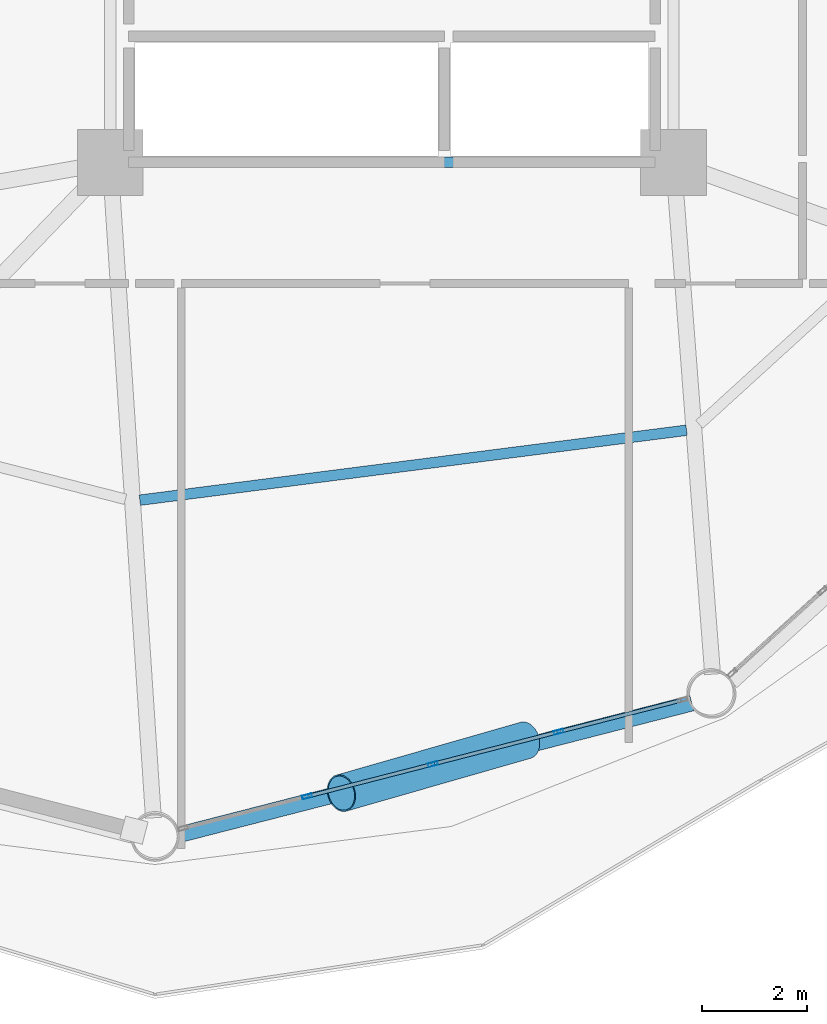
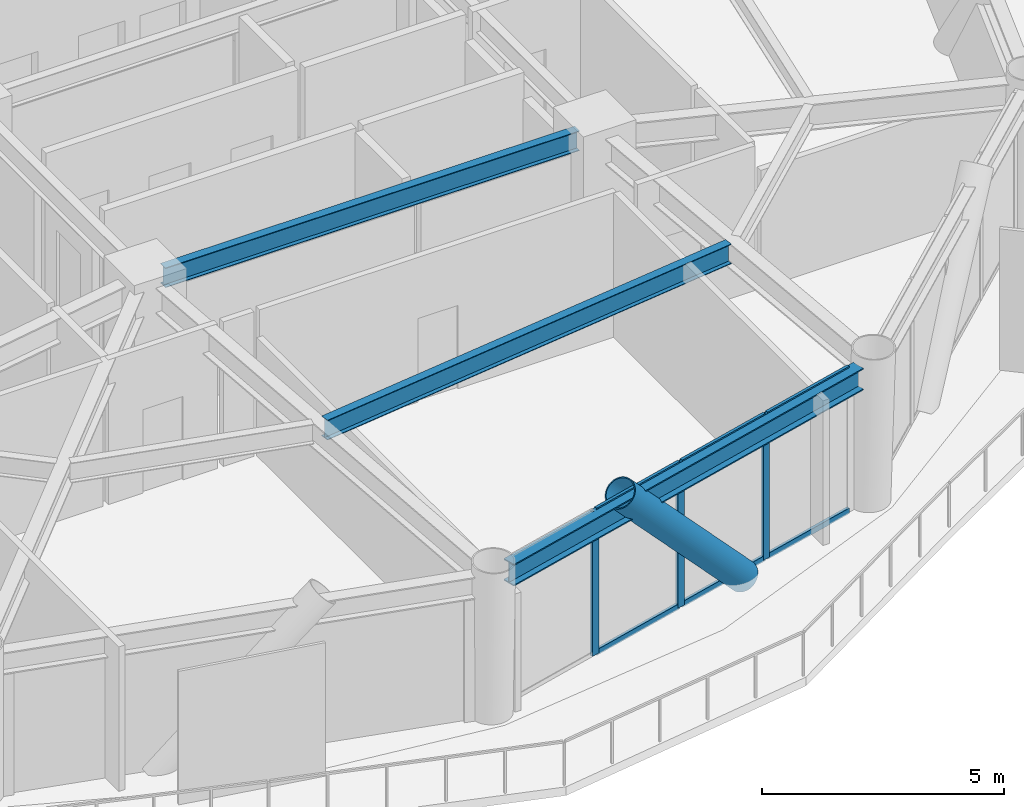
# One storey, part 7 of 25: 10 members, 3 beams, 1 element without a shape of its own.
"""IFC4 building model written with IfcOpenShell, lengths in metres."""

from ifc_helpers import new_model, si_unit, direction, frame, origin, origin_2d, place, context, subcontext, project, spatial, hollow_rectangle, hollow_circle, i_section, extrude, material, layer, layer_set, material_profile, profile_set, type_object, element, aggregate, save


model = new_model("IFC4")

# Units and contexts
model_context = context("Model", 3, precision=1e-05, world=origin(), true_north=direction((0.0, 1.0)))
body_context = subcontext(model_context, "Body", "Model", "MODEL_VIEW")
ifc_project = project(units=[si_unit("LENGTHUNIT", "METRE"), si_unit("AREAUNIT", "SQUARE_METRE"), si_unit("VOLUMEUNIT", "CUBIC_METRE"), si_unit("PLANEANGLEUNIT", "RADIAN"), si_unit("MASSUNIT", "GRAM", prefix="KILO")], contexts=[model_context])

# Site, building, storey
site_placement = place(None, origin())
site = spatial("IfcSite", under=ifc_project, at=site_placement, CompositionType="ELEMENT")
building_placement = place(site_placement, origin())
building = spatial("IfcBuilding", under=site, at=building_placement, Name="Varnakorn Sky Granary", CompositionType="ELEMENT")
storey_placement = place(building_placement, frame((0.0, 0.0, 54.89990234375)))
storey = spatial("IfcBuildingStorey", under=building, at=storey_placement, Name="L13", CompositionType="ELEMENT", Elevation=54.89990234375)

# Beams
ifc_material_1 = material(Name="Steel S355JR", Category="steel")
ifc_material_profile_1 = material_profile(ifc_material_1, i_section(OverallWidth=0.199951171875, OverallDepth=0.5, WebThickness=0.01025390625, FlangeThickness=0.01611328125, at=origin_2d()), Name="IPE 500")
ifc_profile_set_1 = profile_set([ifc_material_profile_1], Name="Steel S355JR")
beam_type_1 = type_object("IfcBeamType", Name="BM-SEC-Z1", PredefinedType="BEAM", material=ifc_profile_set_1)
beam_1_placement = place(storey_placement, frame((-1.786865234375, -13.016357421875, 3.39013671875), z_axis=(0.991915716668, 0.126898427996, 0.0), x_axis=(-0.126898427996, 0.991915716668, 0.0)))
element("IfcBeam", 1, at=beam_1_placement, inside=storey, type_object=beam_type_1, Name="Secondary Floor Chord Beam MSB10 L13", PredefinedType="BEAM", context=body_context, shape_type="SweptSolid", body=[
    extrude(i_section(OverallWidth=0.199951171875, OverallDepth=0.5, WebThickness=0.01025390625, FlangeThickness=0.01611328125, at=origin_2d()), origin(), (0.0, 0.0, 1.0), 10.469970703125),
])
beam_2_placement = place(storey_placement, frame((-1.929931640625, -6.60009765625, 3.39013671875), z_axis=(1.0, 0.0, 0.0), x_axis=(0.0, 1.0, 0.0)))
element("IfcBeam", 2, at=beam_2_placement, inside=storey, type_object=beam_type_1, Name="Core Spine Framing Beam 6 L13", PredefinedType="BEAM", context=body_context, shape_type="SweptSolid", body=[
    extrude(i_section(OverallWidth=0.199951171875, OverallDepth=0.5, WebThickness=0.01025390625, FlangeThickness=0.01611328125, at=origin_2d()), origin(), (0.0, 0.0, 1.0), 9.85986328125),
])
ifc_material_profile_2 = material_profile(ifc_material_1, i_section(OverallWidth=0.300048828125, OverallDepth=0.550048828125, WebThickness=0.014892578125, FlangeThickness=0.029052734375, at=origin_2d()), Name="HE 550 B")
ifc_profile_set_2 = profile_set([ifc_material_profile_2], Name="Steel S355JR")
beam_type_2 = type_object("IfcBeamType", Name="BM-SPD-Z1", PredefinedType="SPANDREL", material=ifc_profile_set_2)
beam_3_placement = place(storey_placement, frame((-1.072021484375, -19.380126953125, 3.364990234375), z_axis=(0.968591261457, 0.248658336337, 0.0), x_axis=(-0.248658336337, 0.968591261457, 0.0)))
element("IfcBeam", 3, at=beam_3_placement, inside=storey, type_object=beam_type_2, Name="Perimeter Spandrel Ring Beam RB10 L13", PredefinedType="SPANDREL", context=body_context, shape_type="SweptSolid", body=[
    extrude(i_section(OverallWidth=0.300048828125, OverallDepth=0.550048828125, WebThickness=0.014892578125, FlangeThickness=0.029052734375, at=origin_2d()), origin(), (0.0, 0.0, 1.0), 10.08740234375),
])

# Curtain wall, members
ifc_material_2 = material(Name="Anodised Bronze Aluminium Alloy 6063-T6", Category="aluminium")
ifc_layer = layer(ifc_material_2, 0.18994140625, Name="Anodised Bronze Aluminium Alloy 6063-T6")
ifc_layer_set = layer_set([ifc_layer], Name="Anodised Bronze Aluminium Alloy 6063-T6")
curtain_wall_type = type_object("IfcCurtainWallType", Name="CW-FRM-1", PredefinedType="USERDEFINED", material=ifc_layer_set)
curtain_wall_placement = place(storey_placement, origin())
curtain_wall = element("IfcCurtainWall", 4, at=curtain_wall_placement, inside=storey, type_object=curtain_wall_type, Name="Unitised Curtain Wall CW3 CW-L13-B10", ObjectType="CURTAIN WALL", PredefinedType="USERDEFINED")
ifc_material_profile_3 = material_profile(ifc_material_2, hollow_rectangle(XDim=0.070068359375, YDim=0.18505859375, WallThickness=0.00390625, at=origin_2d()), Name="ALU MULL 70x185")
ifc_profile_set_3 = profile_set([ifc_material_profile_3], Name="Anodised Bronze Aluminium Alloy 6063-T6")
member_type_1 = type_object("IfcMemberType", Name="CW-FRM-1-MULL", PredefinedType="MULLION", material=ifc_profile_set_3)
member_1_placement = place(storey_placement, frame((6.169189453125, -17.41552734375, 0.0), z_axis=(0.0, 0.0, 1.0), x_axis=(0.248955770225, -0.96851485506, 0.0)))
member_1 = element("IfcMember", 5, at=member_1_placement, type_object=member_type_1, Name="CW3 mullion 2", PredefinedType="MULLION", context=body_context, shape_type="SweptSolid", body=[
    extrude(hollow_rectangle(XDim=0.070068359375, YDim=0.18505859375, WallThickness=0.00390625, at=origin_2d()), origin(), (0.0, 0.0, 1.0), 3.64013671875),
])
member_2_placement = place(storey_placement, frame((3.77978515625, -18.02978515625, 0.0), z_axis=(0.0, 0.0, 1.0), x_axis=(0.248955770225, -0.96851485506, 0.0)))
member_2 = element("IfcMember", 6, at=member_2_placement, type_object=member_type_1, Name="CW3 mullion 3", PredefinedType="MULLION", context=body_context, shape_type="SweptSolid", body=[
    extrude(hollow_rectangle(XDim=0.070068359375, YDim=0.18505859375, WallThickness=0.00390625, at=origin_2d()), origin(), (0.0, 0.0, 1.0), 3.64013671875),
])
member_3_placement = place(storey_placement, frame((1.39013671875, -18.64404296875, 0.0), z_axis=(0.0, 0.0, 1.0), x_axis=(0.248955770225, -0.96851485506, 0.0)))
member_3 = element("IfcMember", 7, at=member_3_placement, type_object=member_type_1, Name="CW3 mullion 4", PredefinedType="MULLION", context=body_context, shape_type="SweptSolid", body=[
    extrude(hollow_rectangle(XDim=0.070068359375, YDim=0.18505859375, WallThickness=0.00390625, at=origin_2d()), origin(), (0.0, 0.0, 1.0), 3.64013671875),
])
ifc_material_profile_4 = material_profile(ifc_material_2, hollow_rectangle(XDim=0.070068359375, YDim=0.139892578125, WallThickness=0.00341796875, at=origin_2d()), Name="ALU TRAN 70x140")
ifc_profile_set_4 = profile_set([ifc_material_profile_4], Name="Anodised Bronze Aluminium Alloy 6063-T6")
member_type_2 = type_object("IfcMemberType", Name="CW-FRM-1-TRAN", PredefinedType="USERDEFINED", material=ifc_profile_set_4)
member_4_placement = place(storey_placement, frame((8.490966796875, -16.81884765625, 0.03515625), z_axis=(-0.968510023727, -0.248974564845, 0.0), x_axis=(0.248974564845, -0.968510023727, 0.0)))
member_4 = element("IfcMember", 8, at=member_4_placement, type_object=member_type_2, Name="CW3 transom 1.1", ObjectType="TRANSOM", PredefinedType="USERDEFINED", context=body_context, shape_type="SweptSolid", body=[
    extrude(hollow_rectangle(XDim=0.070068359375, YDim=0.139892578125, WallThickness=0.00341796875, at=origin_2d()), origin(), (0.0, 0.0, 1.0), 2.3623046875),
])
member_5_placement = place(storey_placement, frame((8.490966796875, -16.81884765625, 3.60498046875), z_axis=(-0.968510023727, -0.248974564845, 0.0), x_axis=(0.248974564845, -0.968510023727, 0.0)))
member_5 = element("IfcMember", 9, at=member_5_placement, type_object=member_type_2, Name="CW3 transom 1.2", ObjectType="TRANSOM", PredefinedType="USERDEFINED", context=body_context, shape_type="SweptSolid", body=[
    extrude(hollow_rectangle(XDim=0.070068359375, YDim=0.139892578125, WallThickness=0.00341796875, at=origin_2d()), origin(), (0.0, 0.0, 1.0), 2.3623046875),
])
member_6_placement = place(storey_placement, frame((6.135498046875, -17.42431640625, 0.03515625), z_axis=(-0.968503458892, -0.24900010063, 0.0), x_axis=(0.24900010063, -0.968503458892, 0.0)))
member_6 = element("IfcMember", 10, at=member_6_placement, type_object=member_type_2, Name="CW3 transom 2.1", ObjectType="TRANSOM", PredefinedType="USERDEFINED", context=body_context, shape_type="SweptSolid", body=[
    extrude(hollow_rectangle(XDim=0.070068359375, YDim=0.139892578125, WallThickness=0.00341796875, at=origin_2d()), origin(), (0.0, 0.0, 1.0), 2.397216796875),
])
member_7_placement = place(storey_placement, frame((6.135498046875, -17.42431640625, 3.60498046875), z_axis=(-0.968503458892, -0.24900010063, 0.0), x_axis=(0.24900010063, -0.968503458892, 0.0)))
member_7 = element("IfcMember", 11, at=member_7_placement, type_object=member_type_2, Name="CW3 transom 2.2", ObjectType="TRANSOM", PredefinedType="USERDEFINED", context=body_context, shape_type="SweptSolid", body=[
    extrude(hollow_rectangle(XDim=0.070068359375, YDim=0.139892578125, WallThickness=0.00341796875, at=origin_2d()), origin(), (0.0, 0.0, 1.0), 2.397216796875),
])
member_8_placement = place(storey_placement, frame((3.745849609375, -18.03857421875, 0.03515625), z_axis=(-0.968528014408, -0.248904570685, 0.0), x_axis=(0.248904570685, -0.968528014408, 0.0)))
member_8 = element("IfcMember", 12, at=member_8_placement, type_object=member_type_2, Name="CW3 transom 3.1", ObjectType="TRANSOM", PredefinedType="USERDEFINED", context=body_context, shape_type="SweptSolid", body=[
    extrude(hollow_rectangle(XDim=0.070068359375, YDim=0.139892578125, WallThickness=0.00341796875, at=origin_2d()), origin(), (0.0, 0.0, 1.0), 2.397216796875),
])
member_9_placement = place(storey_placement, frame((3.745849609375, -18.03857421875, 3.60498046875), z_axis=(-0.968528014408, -0.248904570685, 0.0), x_axis=(0.248904570685, -0.968528014408, 0.0)))
member_9 = element("IfcMember", 13, at=member_9_placement, type_object=member_type_2, Name="CW3 transom 3.2", ObjectType="TRANSOM", PredefinedType="USERDEFINED", context=body_context, shape_type="SweptSolid", body=[
    extrude(hollow_rectangle(XDim=0.070068359375, YDim=0.139892578125, WallThickness=0.00341796875, at=origin_2d()), origin(), (0.0, 0.0, 1.0), 2.397216796875),
])
aggregate(curtain_wall, [member_1, member_2, member_3, member_4, member_5, member_6, member_7, member_8, member_9])

# Member
ifc_material_3 = material(Name="Steel S460M", Category="steel")
ifc_material_profile_5 = material_profile(ifc_material_3, hollow_circle(Radius=0.35546875, WallThickness=0.02490234375, at=origin_2d()), Name="CHS 711x25")
ifc_profile_set_5 = profile_set([ifc_material_profile_5], Name="Steel S460M")
member_type_3 = type_object("IfcMemberType", Name="MB-DIAG-T0", PredefinedType="BRACE", material=ifc_profile_set_5)
member_10_placement = place(storey_placement, frame((5.539794921875, -17.577392578125, -0.1298828125), z_axis=(-0.653948513729, -0.187566274111, 0.732918982021), x_axis=(0.275704662497, -0.961242393508, 0.0)))
element("IfcMember", 14, at=member_10_placement, inside=storey, type_object=member_type_3, Name="Perimeter CHS Diagrid Brace DG10 L13", PredefinedType="BRACE", context=body_context, shape_type="SweptSolid", body=[
    extrude(hollow_circle(Radius=0.35546875, WallThickness=0.02490234375, at=origin_2d()), origin(), (0.0, 0.0, 1.0), 5.348388671875),
])

save(model, "model.ifc")
